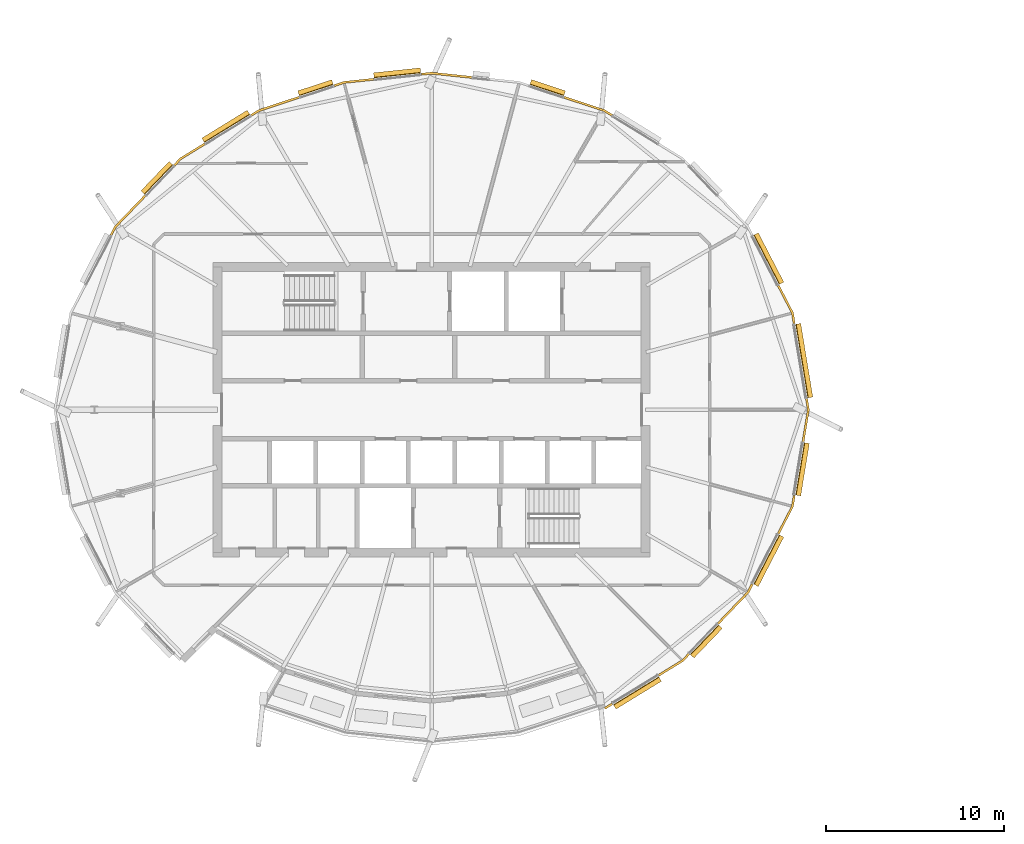
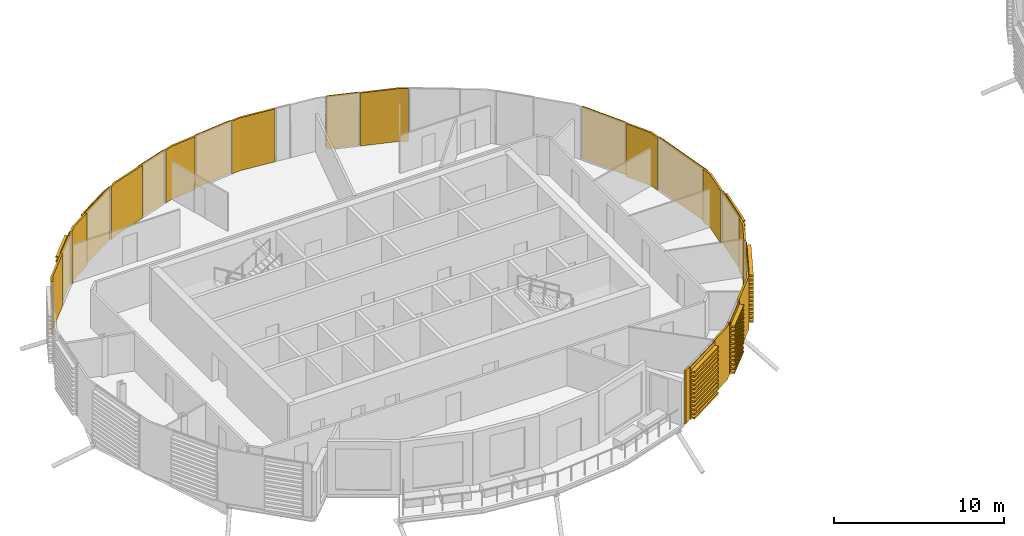
# One storey, part 36 of 41: 23 coverings.
"""IFC4 building model written with IfcOpenShell, lengths in metres."""

from ifc_helpers import new_model, si_unit, direction, frame, origin, place, context, subcontext, project, spatial, polyline, outline, extrude, material, layer, layer_set, material_profile, profile_set, type_object, element, save


model = new_model("IFC4")

# Units and contexts
model_context = context("Model", 3, precision=1e-05, world=origin(), true_north=direction((0.0, 1.0)))
body_context = subcontext(model_context, "Body", "Model", "MODEL_VIEW")
ifc_project = project(units=[si_unit("LENGTHUNIT", "METRE"), si_unit("AREAUNIT", "SQUARE_METRE"), si_unit("VOLUMEUNIT", "CUBIC_METRE"), si_unit("PLANEANGLEUNIT", "RADIAN"), si_unit("MASSUNIT", "GRAM", prefix="KILO")], contexts=[model_context])

# Site, building, storey
site_placement = place(None, origin())
site = spatial("IfcSite", under=ifc_project, at=site_placement, CompositionType="ELEMENT")
building_placement = place(site_placement, origin())
building = spatial("IfcBuilding", under=site, at=building_placement, Name="Rimbun Link Towers", CompositionType="ELEMENT")
storey_placement = place(building_placement, frame((0.0, 0.0, 210.5)))
storey = spatial("IfcBuildingStorey", under=building, at=storey_placement, Name="L51", CompositionType="ELEMENT", Elevation=210.5)

# Coverings
ifc_material_1 = material(Name="Terracotta", Category="masonry")
ifc_layer = layer(ifc_material_1, 0.1201171875)
ifc_layer_set = layer_set([ifc_layer], Name="LINK PIER terracotta cladding 120")
covering_type_1 = type_object("IfcCoveringType", Name="LINK PIER terracotta cladding 120", PredefinedType="CLADDING", material=ifc_layer_set)
covering_1_placement = place(storey_placement, origin())
element("IfcCovering", 1, at=covering_1_placement, inside=storey, type_object=covering_type_1, Name="LINK PIER cladding", PredefinedType="CLADDING", context=body_context, shape_type="SweptSolid", body=[
    extrude(outline(polyline([(-10.790283203125, 0.61181640625), (-10.689697265625, 0.0), (-10.985107421875, -1.7958984375), (-10.86669921875, -1.8154296875), (-10.568115234375, 0.0), (-10.671875, 0.63134765625), (-10.790283203125, 0.61181640625)])), origin(), (0.0, 0.0, 1.0), 3.800048828125),
])
covering_2_placement = place(storey_placement, origin())
element("IfcCovering", 2, at=covering_2_placement, inside=storey, type_object=covering_type_1, Name="LINK PIER cladding", PredefinedType="CLADDING", context=body_context, shape_type="SweptSolid", body=[
    extrude(outline(polyline([(-12.369140625, 6.9326171875), (-11.57861328125, 5.40478515625), (-11.47802734375, 4.793212890625), (-11.359619140625, 4.8125), (-11.46337890625, 5.443115234375), (-12.262451171875, 6.987548828125), (-12.369140625, 6.9326171875)])), origin(), (0.0, 0.0, 1.0), 3.800048828125),
])
covering_3_placement = place(storey_placement, origin())
element("IfcCovering", 3, at=covering_3_placement, inside=storey, type_object=covering_type_1, Name="LINK PIER cladding", PredefinedType="CLADDING", context=body_context, shape_type="SweptSolid", body=[
    extrude(outline(polyline([(-24.35009765625, 17.459228515625), (-22.100341796875, 16.713623046875), (-21.6572265625, 16.441650390625), (-21.594482421875, 16.5439453125), (-22.04931640625, 16.8232421875), (-24.312255859375, 17.5732421875), (-24.35009765625, 17.459228515625)])), origin(), (0.0, 0.0, 1.0), 3.800048828125),
])
covering_4_placement = place(storey_placement, origin())
element("IfcCovering", 4, at=covering_4_placement, inside=storey, type_object=covering_type_1, Name="LINK PIER cladding", PredefinedType="CLADDING", context=body_context, shape_type="SweptSolid", body=[
    extrude(outline(polyline([(-32.31689453125, 18.743896484375), (-31.75, 18.8037109375), (-29.492431640625, 18.56591796875), (-29.47998046875, 18.685302734375), (-31.75, 18.92431640625), (-32.329345703125, 18.86328125), (-32.31689453125, 18.743896484375)])), origin(), (0.0, 0.0, 1.0), 3.800048828125),
])
covering_5_placement = place(storey_placement, origin())
element("IfcCovering", 5, at=covering_5_placement, inside=storey, type_object=covering_type_1, Name="LINK PIER cladding", PredefinedType="CLADDING", context=body_context, shape_type="SweptSolid", body=[
    extrude(outline(polyline([(-37.191162109375, 18.1083984375), (-36.650146484375, 18.28759765625), (-34.989501953125, 18.462646484375), (-35.001953125, 18.58203125), (-36.675537109375, 18.40576171875), (-37.22900390625, 18.222412109375), (-37.191162109375, 18.1083984375)])), origin(), (0.0, 0.0, 1.0), 3.800048828125),
])
covering_6_placement = place(storey_placement, origin())
element("IfcCovering", 6, at=covering_6_placement, inside=storey, type_object=covering_type_1, Name="LINK PIER cladding", PredefinedType="CLADDING", context=body_context, shape_type="SweptSolid", body=[
    extrude(outline(polyline([(-41.8427734375, 16.441650390625), (-41.399658203125, 16.713623046875), (-39.14990234375, 17.459228515625), (-39.187744140625, 17.5732421875), (-41.45068359375, 16.8232421875), (-41.905517578125, 16.5439453125), (-41.8427734375, 16.441650390625)])), origin(), (0.0, 0.0, 1.0), 3.800048828125),
])
covering_7_placement = place(storey_placement, origin())
element("IfcCovering", 7, at=covering_7_placement, inside=storey, type_object=covering_type_1, Name="LINK PIER cladding", PredefinedType="CLADDING", context=body_context, shape_type="SweptSolid", body=[
    extrude(outline(polyline([(-46.13623046875, 13.651123046875), (-45.7763671875, 14.0263671875), (-44.4384765625, 14.847900390625), (-44.501220703125, 14.9501953125), (-45.852294921875, 14.12060546875), (-46.222900390625, 13.734130859375), (-46.13623046875, 13.651123046875)])), origin(), (0.0, 0.0, 1.0), 3.800048828125),
])
covering_8_placement = place(storey_placement, origin())
element("IfcCovering", 8, at=covering_8_placement, inside=storey, type_object=covering_type_1, Name="LINK PIER cladding", PredefinedType="CLADDING", context=body_context, shape_type="SweptSolid", body=[
    extrude(outline(polyline([(-49.673828125, 9.74853515625), (-49.434814453125, 10.21044921875), (-47.760009765625, 11.957275390625), (-47.8466796875, 12.040283203125), (-49.533447265625, 10.281005859375), (-49.780517578125, 9.8037109375), (-49.673828125, 9.74853515625)])), origin(), (0.0, 0.0, 1.0), 3.800048828125),
])
covering_9_placement = place(storey_placement, origin())
element("IfcCovering", 9, at=covering_9_placement, inside=storey, type_object=covering_type_1, Name="LINK PIER cladding", PredefinedType="CLADDING", context=body_context, shape_type="SweptSolid", body=[
    extrude(outline(polyline([(-21.6572265625, -16.441650390625), (-22.07470703125, -16.697998046875), (-22.011962890625, -16.80029296875), (-21.594482421875, -16.5439453125), (-21.6572265625, -16.441650390625)])), origin(), (0.0, 0.0, 1.0), 3.800048828125),
])
covering_10_placement = place(storey_placement, origin())
element("IfcCovering", 10, at=covering_10_placement, inside=storey, type_object=covering_type_1, Name="LINK PIER cladding", PredefinedType="CLADDING", context=body_context, shape_type="SweptSolid", body=[
    extrude(outline(polyline([(-17.36376953125, -13.651123046875), (-17.7236328125, -14.0263671875), (-19.0615234375, -14.847900390625), (-18.998779296875, -14.9501953125), (-17.647705078125, -14.12060546875), (-17.277099609375, -13.734130859375), (-17.36376953125, -13.651123046875)])), origin(), (0.0, 0.0, 1.0), 3.800048828125),
])
covering_11_placement = place(storey_placement, origin())
element("IfcCovering", 11, at=covering_11_placement, inside=storey, type_object=covering_type_1, Name="LINK PIER cladding", PredefinedType="CLADDING", context=body_context, shape_type="SweptSolid", body=[
    extrude(outline(polyline([(-13.826171875, -9.74853515625), (-14.065185546875, -10.21044921875), (-15.739990234375, -11.957275390625), (-15.6533203125, -12.040283203125), (-13.966552734375, -10.281005859375), (-13.719482421875, -9.8037109375), (-13.826171875, -9.74853515625)])), origin(), (0.0, 0.0, 1.0), 3.800048828125),
])
covering_12_placement = place(storey_placement, origin())
element("IfcCovering", 12, at=covering_12_placement, inside=storey, type_object=covering_type_1, Name="LINK PIER cladding", PredefinedType="CLADDING", context=body_context, shape_type="SweptSolid", body=[
    extrude(outline(polyline([(-11.47802734375, -4.793212890625), (-11.57861328125, -5.40478515625), (-12.369140625, -6.9326171875), (-12.262451171875, -6.987548828125), (-11.46337890625, -5.443115234375), (-11.359619140625, -4.8125), (-11.47802734375, -4.793212890625)])), origin(), (0.0, 0.0, 1.0), 3.800048828125),
])
ifc_material_2 = material(Name="Terracotta", Category="masonry")
ifc_material_profile = material_profile(ifc_material_2, outline(polyline([(0.123046875, 0.0), (0.1630859375, 0.0), (0.1630859375, 0.10009765625), (0.423095703125, 0.10009765625), (0.423095703125, 0.219970703125), (0.1630859375, 0.219970703125), (0.1630859375, 0.39990234375), (0.423095703125, 0.39990234375), (0.423095703125, 0.52001953125), (0.1630859375, 0.52001953125), (0.1630859375, 0.699951171875), (0.423095703125, 0.699951171875), (0.423095703125, 0.820068359375), (0.1630859375, 0.820068359375), (0.1630859375, 1.0), (0.423095703125, 1.0), (0.423095703125, 1.1201171875), (0.1630859375, 1.1201171875), (0.1630859375, 1.300048828125), (0.423095703125, 1.300048828125), (0.423095703125, 1.419921875), (0.1630859375, 1.419921875), (0.1630859375, 1.60009765625), (0.423095703125, 1.60009765625), (0.423095703125, 1.719970703125), (0.1630859375, 1.719970703125), (0.1630859375, 1.89990234375), (0.423095703125, 1.89990234375), (0.423095703125, 2.02001953125), (0.1630859375, 2.02001953125), (0.1630859375, 2.199951171875), (0.423095703125, 2.199951171875), (0.423095703125, 2.320068359375), (0.1630859375, 2.320068359375), (0.1630859375, 2.5), (0.423095703125, 2.5), (0.423095703125, 2.6201171875), (0.1630859375, 2.6201171875), (0.1630859375, 2.800048828125), (0.423095703125, 2.800048828125), (0.423095703125, 2.919921875), (0.1630859375, 2.919921875), (0.1630859375, 3.10009765625), (0.423095703125, 3.10009765625), (0.423095703125, 3.219970703125), (0.1630859375, 3.219970703125), (0.1630859375, 3.39990234375), (0.423095703125, 3.39990234375), (0.423095703125, 3.52001953125), (0.1630859375, 3.52001953125), (0.1630859375, 3.800048828125), (0.123046875, 3.800048828125), (0.123046875, 0.0)])), Name="BAGUETTE 120X300")
ifc_profile_set = profile_set([ifc_material_profile], Name="Terracotta")
covering_type_2 = type_object("IfcCoveringType", Name="TERRACOTTA BAGUETTE 120X300 H3800", PredefinedType="CLADDING", material=ifc_profile_set)
covering_13_placement = place(storey_placement, frame((-11.47314453125, 4.763427734375, 0.0), z_axis=(0.162294685122, -0.986742334747, 0.0), x_axis=(0.986742334747, 0.162294685122, 0.0)))
element("IfcCovering", 13, at=covering_13_placement, inside=storey, type_object=covering_type_2, Name="TERRACOTTA BAGUETTE", PredefinedType="CLADDING", context=body_context, shape_type="SweptSolid", body=[
    extrude(outline(polyline([(0.123046875, 0.0), (0.1630859375, 0.0), (0.1630859375, 0.10009765625), (0.423095703125, 0.10009765625), (0.423095703125, 0.219970703125), (0.1630859375, 0.219970703125), (0.1630859375, 0.39990234375), (0.423095703125, 0.39990234375), (0.423095703125, 0.52001953125), (0.1630859375, 0.52001953125), (0.1630859375, 0.699951171875), (0.423095703125, 0.699951171875), (0.423095703125, 0.820068359375), (0.1630859375, 0.820068359375), (0.1630859375, 1.0), (0.423095703125, 1.0), (0.423095703125, 1.1201171875), (0.1630859375, 1.1201171875), (0.1630859375, 1.300048828125), (0.423095703125, 1.300048828125), (0.423095703125, 1.419921875), (0.1630859375, 1.419921875), (0.1630859375, 1.60009765625), (0.423095703125, 1.60009765625), (0.423095703125, 1.719970703125), (0.1630859375, 1.719970703125), (0.1630859375, 1.89990234375), (0.423095703125, 1.89990234375), (0.423095703125, 2.02001953125), (0.1630859375, 2.02001953125), (0.1630859375, 2.199951171875), (0.423095703125, 2.199951171875), (0.423095703125, 2.320068359375), (0.1630859375, 2.320068359375), (0.1630859375, 2.5), (0.423095703125, 2.5), (0.423095703125, 2.6201171875), (0.1630859375, 2.6201171875), (0.1630859375, 2.800048828125), (0.423095703125, 2.800048828125), (0.423095703125, 2.919921875), (0.1630859375, 2.919921875), (0.1630859375, 3.10009765625), (0.423095703125, 3.10009765625), (0.423095703125, 3.219970703125), (0.1630859375, 3.219970703125), (0.1630859375, 3.39990234375), (0.423095703125, 3.39990234375), (0.423095703125, 3.52001953125), (0.1630859375, 3.52001953125), (0.1630859375, 3.800048828125), (0.123046875, 3.800048828125), (0.123046875, 0.0)])), origin(), (0.0, 0.0, 1.0), 4.177490234375),
])
covering_14_placement = place(storey_placement, frame((-13.812255859375, 9.721923828125, 0.0), z_axis=(0.459540350584, -0.888156892776, 0.0), x_axis=(0.888156892776, 0.459540350584, 0.0)))
element("IfcCovering", 14, at=covering_14_placement, inside=storey, type_object=covering_type_2, Name="TERRACOTTA BAGUETTE", PredefinedType="CLADDING", context=body_context, shape_type="SweptSolid", body=[
    extrude(outline(polyline([(0.123046875, 0.0), (0.1630859375, 0.0), (0.1630859375, 0.10009765625), (0.423095703125, 0.10009765625), (0.423095703125, 0.219970703125), (0.1630859375, 0.219970703125), (0.1630859375, 0.39990234375), (0.423095703125, 0.39990234375), (0.423095703125, 0.52001953125), (0.1630859375, 0.52001953125), (0.1630859375, 0.699951171875), (0.423095703125, 0.699951171875), (0.423095703125, 0.820068359375), (0.1630859375, 0.820068359375), (0.1630859375, 1.0), (0.423095703125, 1.0), (0.423095703125, 1.1201171875), (0.1630859375, 1.1201171875), (0.1630859375, 1.300048828125), (0.423095703125, 1.300048828125), (0.423095703125, 1.419921875), (0.1630859375, 1.419921875), (0.1630859375, 1.60009765625), (0.423095703125, 1.60009765625), (0.423095703125, 1.719970703125), (0.1630859375, 1.719970703125), (0.1630859375, 1.89990234375), (0.423095703125, 1.89990234375), (0.423095703125, 2.02001953125), (0.1630859375, 2.02001953125), (0.1630859375, 2.199951171875), (0.423095703125, 2.199951171875), (0.423095703125, 2.320068359375), (0.1630859375, 2.320068359375), (0.1630859375, 2.5), (0.423095703125, 2.5), (0.423095703125, 2.6201171875), (0.1630859375, 2.6201171875), (0.1630859375, 2.800048828125), (0.423095703125, 2.800048828125), (0.423095703125, 2.919921875), (0.1630859375, 2.919921875), (0.1630859375, 3.10009765625), (0.423095703125, 3.10009765625), (0.423095703125, 3.219970703125), (0.1630859375, 3.219970703125), (0.1630859375, 3.39990234375), (0.423095703125, 3.39990234375), (0.423095703125, 3.52001953125), (0.1630859375, 3.52001953125), (0.1630859375, 3.800048828125), (0.123046875, 3.800048828125), (0.123046875, 0.0)])), origin(), (0.0, 0.0, 1.0), 3.110595703125),
])
covering_15_placement = place(storey_placement, frame((-26.2802734375, 18.098876953125, 0.0), z_axis=(0.949254463086, -0.314509084625, 0.0), x_axis=(0.314509084625, 0.949254463086, 0.0)))
element("IfcCovering", 15, at=covering_15_placement, inside=storey, type_object=covering_type_2, Name="TERRACOTTA BAGUETTE", PredefinedType="CLADDING", context=body_context, shape_type="SweptSolid", body=[
    extrude(outline(polyline([(0.123046875, 0.0), (0.1630859375, 0.0), (0.1630859375, 0.10009765625), (0.423095703125, 0.10009765625), (0.423095703125, 0.219970703125), (0.1630859375, 0.219970703125), (0.1630859375, 0.39990234375), (0.423095703125, 0.39990234375), (0.423095703125, 0.52001953125), (0.1630859375, 0.52001953125), (0.1630859375, 0.699951171875), (0.423095703125, 0.699951171875), (0.423095703125, 0.820068359375), (0.1630859375, 0.820068359375), (0.1630859375, 1.0), (0.423095703125, 1.0), (0.423095703125, 1.1201171875), (0.1630859375, 1.1201171875), (0.1630859375, 1.300048828125), (0.423095703125, 1.300048828125), (0.423095703125, 1.419921875), (0.1630859375, 1.419921875), (0.1630859375, 1.60009765625), (0.423095703125, 1.60009765625), (0.423095703125, 1.719970703125), (0.1630859375, 1.719970703125), (0.1630859375, 1.89990234375), (0.423095703125, 1.89990234375), (0.423095703125, 2.02001953125), (0.1630859375, 2.02001953125), (0.1630859375, 2.199951171875), (0.423095703125, 2.199951171875), (0.423095703125, 2.320068359375), (0.1630859375, 2.320068359375), (0.1630859375, 2.5), (0.423095703125, 2.5), (0.423095703125, 2.6201171875), (0.1630859375, 2.6201171875), (0.1630859375, 2.800048828125), (0.423095703125, 2.800048828125), (0.423095703125, 2.919921875), (0.1630859375, 2.919921875), (0.1630859375, 3.10009765625), (0.423095703125, 3.10009765625), (0.423095703125, 3.219970703125), (0.1630859375, 3.219970703125), (0.1630859375, 3.39990234375), (0.423095703125, 3.39990234375), (0.423095703125, 3.52001953125), (0.1630859375, 3.52001953125), (0.1630859375, 3.800048828125), (0.123046875, 3.800048828125), (0.123046875, 0.0)])), origin(), (0.0, 0.0, 1.0), 2.00341796875),
])
covering_16_placement = place(storey_placement, frame((-34.95947265625, 18.4658203125, 0.0), z_axis=(0.994500869285, 0.104728319911, 0.0), x_axis=(-0.104728319911, 0.994500869285, 0.0)))
element("IfcCovering", 16, at=covering_16_placement, inside=storey, type_object=covering_type_2, Name="TERRACOTTA BAGUETTE", PredefinedType="CLADDING", context=body_context, shape_type="SweptSolid", body=[
    extrude(outline(polyline([(0.123046875, 0.0), (0.1630859375, 0.0), (0.1630859375, 0.10009765625), (0.423095703125, 0.10009765625), (0.423095703125, 0.219970703125), (0.1630859375, 0.219970703125), (0.1630859375, 0.39990234375), (0.423095703125, 0.39990234375), (0.423095703125, 0.52001953125), (0.1630859375, 0.52001953125), (0.1630859375, 0.699951171875), (0.423095703125, 0.699951171875), (0.423095703125, 0.820068359375), (0.1630859375, 0.820068359375), (0.1630859375, 1.0), (0.423095703125, 1.0), (0.423095703125, 1.1201171875), (0.1630859375, 1.1201171875), (0.1630859375, 1.300048828125), (0.423095703125, 1.300048828125), (0.423095703125, 1.419921875), (0.1630859375, 1.419921875), (0.1630859375, 1.60009765625), (0.423095703125, 1.60009765625), (0.423095703125, 1.719970703125), (0.1630859375, 1.719970703125), (0.1630859375, 1.89990234375), (0.423095703125, 1.89990234375), (0.423095703125, 2.02001953125), (0.1630859375, 2.02001953125), (0.1630859375, 2.199951171875), (0.423095703125, 2.199951171875), (0.423095703125, 2.320068359375), (0.1630859375, 2.320068359375), (0.1630859375, 2.5), (0.423095703125, 2.5), (0.423095703125, 2.6201171875), (0.1630859375, 2.6201171875), (0.1630859375, 2.800048828125), (0.423095703125, 2.800048828125), (0.423095703125, 2.919921875), (0.1630859375, 2.919921875), (0.1630859375, 3.10009765625), (0.423095703125, 3.10009765625), (0.423095703125, 3.219970703125), (0.1630859375, 3.219970703125), (0.1630859375, 3.39990234375), (0.423095703125, 3.39990234375), (0.423095703125, 3.52001953125), (0.1630859375, 3.52001953125), (0.1630859375, 3.800048828125), (0.123046875, 3.800048828125), (0.123046875, 0.0)])), origin(), (0.0, 0.0, 1.0), 2.627197265625),
])
covering_17_placement = place(storey_placement, frame((-39.12158203125, 17.46875, 0.0), z_axis=(0.949254463086, 0.314509084625, 0.0), x_axis=(-0.314509084625, 0.949254463086, 0.0)))
element("IfcCovering", 17, at=covering_17_placement, inside=storey, type_object=covering_type_2, Name="TERRACOTTA BAGUETTE", PredefinedType="CLADDING", context=body_context, shape_type="SweptSolid", body=[
    extrude(outline(polyline([(0.123046875, 0.0), (0.1630859375, 0.0), (0.1630859375, 0.10009765625), (0.423095703125, 0.10009765625), (0.423095703125, 0.219970703125), (0.1630859375, 0.219970703125), (0.1630859375, 0.39990234375), (0.423095703125, 0.39990234375), (0.423095703125, 0.52001953125), (0.1630859375, 0.52001953125), (0.1630859375, 0.699951171875), (0.423095703125, 0.699951171875), (0.423095703125, 0.820068359375), (0.1630859375, 0.820068359375), (0.1630859375, 1.0), (0.423095703125, 1.0), (0.423095703125, 1.1201171875), (0.1630859375, 1.1201171875), (0.1630859375, 1.300048828125), (0.423095703125, 1.300048828125), (0.423095703125, 1.419921875), (0.1630859375, 1.419921875), (0.1630859375, 1.60009765625), (0.423095703125, 1.60009765625), (0.423095703125, 1.719970703125), (0.1630859375, 1.719970703125), (0.1630859375, 1.89990234375), (0.423095703125, 1.89990234375), (0.423095703125, 2.02001953125), (0.1630859375, 2.02001953125), (0.1630859375, 2.199951171875), (0.423095703125, 2.199951171875), (0.423095703125, 2.320068359375), (0.1630859375, 2.320068359375), (0.1630859375, 2.5), (0.423095703125, 2.5), (0.423095703125, 2.6201171875), (0.1630859375, 2.6201171875), (0.1630859375, 2.800048828125), (0.423095703125, 2.800048828125), (0.423095703125, 2.919921875), (0.1630859375, 2.919921875), (0.1630859375, 3.10009765625), (0.423095703125, 3.10009765625), (0.423095703125, 3.219970703125), (0.1630859375, 3.219970703125), (0.1630859375, 3.39990234375), (0.423095703125, 3.39990234375), (0.423095703125, 3.52001953125), (0.1630859375, 3.52001953125), (0.1630859375, 3.800048828125), (0.123046875, 3.800048828125), (0.123046875, 0.0)])), origin(), (0.0, 0.0, 1.0), 2.00341796875),
])
covering_18_placement = place(storey_placement, frame((-44.412841796875, 14.863525390625, 0.0), z_axis=(0.852152035837, 0.523294284145, 0.0), x_axis=(-0.523294284145, 0.852152035837, 0.0)))
element("IfcCovering", 18, at=covering_18_placement, inside=storey, type_object=covering_type_2, Name="TERRACOTTA BAGUETTE", PredefinedType="CLADDING", context=body_context, shape_type="SweptSolid", body=[
    extrude(outline(polyline([(0.123046875, 0.0), (0.1630859375, 0.0), (0.1630859375, 0.10009765625), (0.423095703125, 0.10009765625), (0.423095703125, 0.219970703125), (0.1630859375, 0.219970703125), (0.1630859375, 0.39990234375), (0.423095703125, 0.39990234375), (0.423095703125, 0.52001953125), (0.1630859375, 0.52001953125), (0.1630859375, 0.699951171875), (0.423095703125, 0.699951171875), (0.423095703125, 0.820068359375), (0.1630859375, 0.820068359375), (0.1630859375, 1.0), (0.423095703125, 1.0), (0.423095703125, 1.1201171875), (0.1630859375, 1.1201171875), (0.1630859375, 1.300048828125), (0.423095703125, 1.300048828125), (0.423095703125, 1.419921875), (0.1630859375, 1.419921875), (0.1630859375, 1.60009765625), (0.423095703125, 1.60009765625), (0.423095703125, 1.719970703125), (0.1630859375, 1.719970703125), (0.1630859375, 1.89990234375), (0.423095703125, 1.89990234375), (0.423095703125, 2.02001953125), (0.1630859375, 2.02001953125), (0.1630859375, 2.199951171875), (0.423095703125, 2.199951171875), (0.423095703125, 2.320068359375), (0.1630859375, 2.320068359375), (0.1630859375, 2.5), (0.423095703125, 2.5), (0.423095703125, 2.6201171875), (0.1630859375, 2.6201171875), (0.1630859375, 2.800048828125), (0.423095703125, 2.800048828125), (0.423095703125, 2.919921875), (0.1630859375, 2.919921875), (0.1630859375, 3.10009765625), (0.423095703125, 3.10009765625), (0.423095703125, 3.219970703125), (0.1630859375, 3.219970703125), (0.1630859375, 3.39990234375), (0.423095703125, 3.39990234375), (0.423095703125, 3.52001953125), (0.1630859375, 3.52001953125), (0.1630859375, 3.800048828125), (0.123046875, 3.800048828125), (0.123046875, 0.0)])), origin(), (0.0, 0.0, 1.0), 2.98583984375),
])
covering_19_placement = place(storey_placement, frame((-47.7392578125, 11.97900390625, 0.0), z_axis=(0.692053780348, 0.721845942779, 0.0), x_axis=(-0.721845942779, 0.692053780348, 0.0)))
element("IfcCovering", 19, at=covering_19_placement, inside=storey, type_object=covering_type_2, Name="TERRACOTTA BAGUETTE", PredefinedType="CLADDING", context=body_context, shape_type="SweptSolid", body=[
    extrude(outline(polyline([(0.123046875, 0.0), (0.1630859375, 0.0), (0.1630859375, 0.10009765625), (0.423095703125, 0.10009765625), (0.423095703125, 0.219970703125), (0.1630859375, 0.219970703125), (0.1630859375, 0.39990234375), (0.423095703125, 0.39990234375), (0.423095703125, 0.52001953125), (0.1630859375, 0.52001953125), (0.1630859375, 0.699951171875), (0.423095703125, 0.699951171875), (0.423095703125, 0.820068359375), (0.1630859375, 0.820068359375), (0.1630859375, 1.0), (0.423095703125, 1.0), (0.423095703125, 1.1201171875), (0.1630859375, 1.1201171875), (0.1630859375, 1.300048828125), (0.423095703125, 1.300048828125), (0.423095703125, 1.419921875), (0.1630859375, 1.419921875), (0.1630859375, 1.60009765625), (0.423095703125, 1.60009765625), (0.423095703125, 1.719970703125), (0.1630859375, 1.719970703125), (0.1630859375, 1.89990234375), (0.423095703125, 1.89990234375), (0.423095703125, 2.02001953125), (0.1630859375, 2.02001953125), (0.1630859375, 2.199951171875), (0.423095703125, 2.199951171875), (0.423095703125, 2.320068359375), (0.1630859375, 2.320068359375), (0.1630859375, 2.5), (0.423095703125, 2.5), (0.423095703125, 2.6201171875), (0.1630859375, 2.6201171875), (0.1630859375, 2.800048828125), (0.423095703125, 2.800048828125), (0.423095703125, 2.919921875), (0.1630859375, 2.919921875), (0.1630859375, 3.10009765625), (0.423095703125, 3.10009765625), (0.423095703125, 3.219970703125), (0.1630859375, 3.219970703125), (0.1630859375, 3.39990234375), (0.423095703125, 3.39990234375), (0.423095703125, 3.52001953125), (0.1630859375, 3.52001953125), (0.1630859375, 3.800048828125), (0.123046875, 3.800048828125), (0.123046875, 0.0)])), origin(), (0.0, 0.0, 1.0), 2.286376953125),
])
covering_20_placement = place(storey_placement, frame((-19.087158203125, -14.863525390625, 0.0), z_axis=(-0.852152035837, -0.523294284145, 0.0), x_axis=(0.523294284145, -0.852152035837, 0.0)))
element("IfcCovering", 20, at=covering_20_placement, inside=storey, type_object=covering_type_2, Name="TERRACOTTA BAGUETTE", PredefinedType="CLADDING", context=body_context, shape_type="SweptSolid", body=[
    extrude(outline(polyline([(0.123046875, 0.0), (0.1630859375, 0.0), (0.1630859375, 0.10009765625), (0.423095703125, 0.10009765625), (0.423095703125, 0.219970703125), (0.1630859375, 0.219970703125), (0.1630859375, 0.39990234375), (0.423095703125, 0.39990234375), (0.423095703125, 0.52001953125), (0.1630859375, 0.52001953125), (0.1630859375, 0.699951171875), (0.423095703125, 0.699951171875), (0.423095703125, 0.820068359375), (0.1630859375, 0.820068359375), (0.1630859375, 1.0), (0.423095703125, 1.0), (0.423095703125, 1.1201171875), (0.1630859375, 1.1201171875), (0.1630859375, 1.300048828125), (0.423095703125, 1.300048828125), (0.423095703125, 1.419921875), (0.1630859375, 1.419921875), (0.1630859375, 1.60009765625), (0.423095703125, 1.60009765625), (0.423095703125, 1.719970703125), (0.1630859375, 1.719970703125), (0.1630859375, 1.89990234375), (0.423095703125, 1.89990234375), (0.423095703125, 2.02001953125), (0.1630859375, 2.02001953125), (0.1630859375, 2.199951171875), (0.423095703125, 2.199951171875), (0.423095703125, 2.320068359375), (0.1630859375, 2.320068359375), (0.1630859375, 2.5), (0.423095703125, 2.5), (0.423095703125, 2.6201171875), (0.1630859375, 2.6201171875), (0.1630859375, 2.800048828125), (0.423095703125, 2.800048828125), (0.423095703125, 2.919921875), (0.1630859375, 2.919921875), (0.1630859375, 3.10009765625), (0.423095703125, 3.10009765625), (0.423095703125, 3.219970703125), (0.1630859375, 3.219970703125), (0.1630859375, 3.39990234375), (0.423095703125, 3.39990234375), (0.423095703125, 3.52001953125), (0.1630859375, 3.52001953125), (0.1630859375, 3.800048828125), (0.123046875, 3.800048828125), (0.123046875, 0.0)])), origin(), (0.0, 0.0, 1.0), 2.98583984375),
])
covering_21_placement = place(storey_placement, frame((-15.7607421875, -11.97900390625, 0.0), z_axis=(-0.692053780348, -0.721845942779, 0.0), x_axis=(0.721845942779, -0.692053780348, 0.0)))
element("IfcCovering", 21, at=covering_21_placement, inside=storey, type_object=covering_type_2, Name="TERRACOTTA BAGUETTE", PredefinedType="CLADDING", context=body_context, shape_type="SweptSolid", body=[
    extrude(outline(polyline([(0.123046875, 0.0), (0.1630859375, 0.0), (0.1630859375, 0.10009765625), (0.423095703125, 0.10009765625), (0.423095703125, 0.219970703125), (0.1630859375, 0.219970703125), (0.1630859375, 0.39990234375), (0.423095703125, 0.39990234375), (0.423095703125, 0.52001953125), (0.1630859375, 0.52001953125), (0.1630859375, 0.699951171875), (0.423095703125, 0.699951171875), (0.423095703125, 0.820068359375), (0.1630859375, 0.820068359375), (0.1630859375, 1.0), (0.423095703125, 1.0), (0.423095703125, 1.1201171875), (0.1630859375, 1.1201171875), (0.1630859375, 1.300048828125), (0.423095703125, 1.300048828125), (0.423095703125, 1.419921875), (0.1630859375, 1.419921875), (0.1630859375, 1.60009765625), (0.423095703125, 1.60009765625), (0.423095703125, 1.719970703125), (0.1630859375, 1.719970703125), (0.1630859375, 1.89990234375), (0.423095703125, 1.89990234375), (0.423095703125, 2.02001953125), (0.1630859375, 2.02001953125), (0.1630859375, 2.199951171875), (0.423095703125, 2.199951171875), (0.423095703125, 2.320068359375), (0.1630859375, 2.320068359375), (0.1630859375, 2.5), (0.423095703125, 2.5), (0.423095703125, 2.6201171875), (0.1630859375, 2.6201171875), (0.1630859375, 2.800048828125), (0.423095703125, 2.800048828125), (0.423095703125, 2.919921875), (0.1630859375, 2.919921875), (0.1630859375, 3.10009765625), (0.423095703125, 3.10009765625), (0.423095703125, 3.219970703125), (0.1630859375, 3.219970703125), (0.1630859375, 3.39990234375), (0.423095703125, 3.39990234375), (0.423095703125, 3.52001953125), (0.1630859375, 3.52001953125), (0.1630859375, 3.800048828125), (0.123046875, 3.800048828125), (0.123046875, 0.0)])), origin(), (0.0, 0.0, 1.0), 2.286376953125),
])
covering_22_placement = place(storey_placement, frame((-12.3828125, -6.959228515625, 0.0), z_axis=(-0.459540350584, -0.888156892776, 0.0), x_axis=(0.888156892776, -0.459540350584, 0.0)))
element("IfcCovering", 22, at=covering_22_placement, inside=storey, type_object=covering_type_2, Name="TERRACOTTA BAGUETTE", PredefinedType="CLADDING", context=body_context, shape_type="SweptSolid", body=[
    extrude(outline(polyline([(0.123046875, 0.0), (0.1630859375, 0.0), (0.1630859375, 0.10009765625), (0.423095703125, 0.10009765625), (0.423095703125, 0.219970703125), (0.1630859375, 0.219970703125), (0.1630859375, 0.39990234375), (0.423095703125, 0.39990234375), (0.423095703125, 0.52001953125), (0.1630859375, 0.52001953125), (0.1630859375, 0.699951171875), (0.423095703125, 0.699951171875), (0.423095703125, 0.820068359375), (0.1630859375, 0.820068359375), (0.1630859375, 1.0), (0.423095703125, 1.0), (0.423095703125, 1.1201171875), (0.1630859375, 1.1201171875), (0.1630859375, 1.300048828125), (0.423095703125, 1.300048828125), (0.423095703125, 1.419921875), (0.1630859375, 1.419921875), (0.1630859375, 1.60009765625), (0.423095703125, 1.60009765625), (0.423095703125, 1.719970703125), (0.1630859375, 1.719970703125), (0.1630859375, 1.89990234375), (0.423095703125, 1.89990234375), (0.423095703125, 2.02001953125), (0.1630859375, 2.02001953125), (0.1630859375, 2.199951171875), (0.423095703125, 2.199951171875), (0.423095703125, 2.320068359375), (0.1630859375, 2.320068359375), (0.1630859375, 2.5), (0.423095703125, 2.5), (0.423095703125, 2.6201171875), (0.1630859375, 2.6201171875), (0.1630859375, 2.800048828125), (0.423095703125, 2.800048828125), (0.423095703125, 2.919921875), (0.1630859375, 2.919921875), (0.1630859375, 3.10009765625), (0.423095703125, 3.10009765625), (0.423095703125, 3.219970703125), (0.1630859375, 3.219970703125), (0.1630859375, 3.39990234375), (0.423095703125, 3.39990234375), (0.423095703125, 3.52001953125), (0.1630859375, 3.52001953125), (0.1630859375, 3.800048828125), (0.123046875, 3.800048828125), (0.123046875, 0.0)])), origin(), (0.0, 0.0, 1.0), 3.110595703125),
])
covering_23_placement = place(storey_placement, frame((-10.989990234375, -1.825439453125, 0.0), z_axis=(-0.162271127458, -0.98674620911, 0.0), x_axis=(0.98674620911, -0.162271127458, 0.0)))
element("IfcCovering", 23, at=covering_23_placement, inside=storey, type_object=covering_type_2, Name="TERRACOTTA BAGUETTE", PredefinedType="CLADDING", context=body_context, shape_type="SweptSolid", body=[
    extrude(outline(polyline([(0.123046875, 0.0), (0.1630859375, 0.0), (0.1630859375, 0.10009765625), (0.423095703125, 0.10009765625), (0.423095703125, 0.219970703125), (0.1630859375, 0.219970703125), (0.1630859375, 0.39990234375), (0.423095703125, 0.39990234375), (0.423095703125, 0.52001953125), (0.1630859375, 0.52001953125), (0.1630859375, 0.699951171875), (0.423095703125, 0.699951171875), (0.423095703125, 0.820068359375), (0.1630859375, 0.820068359375), (0.1630859375, 1.0), (0.423095703125, 1.0), (0.423095703125, 1.1201171875), (0.1630859375, 1.1201171875), (0.1630859375, 1.300048828125), (0.423095703125, 1.300048828125), (0.423095703125, 1.419921875), (0.1630859375, 1.419921875), (0.1630859375, 1.60009765625), (0.423095703125, 1.60009765625), (0.423095703125, 1.719970703125), (0.1630859375, 1.719970703125), (0.1630859375, 1.89990234375), (0.423095703125, 1.89990234375), (0.423095703125, 2.02001953125), (0.1630859375, 2.02001953125), (0.1630859375, 2.199951171875), (0.423095703125, 2.199951171875), (0.423095703125, 2.320068359375), (0.1630859375, 2.320068359375), (0.1630859375, 2.5), (0.423095703125, 2.5), (0.423095703125, 2.6201171875), (0.1630859375, 2.6201171875), (0.1630859375, 2.800048828125), (0.423095703125, 2.800048828125), (0.423095703125, 2.919921875), (0.1630859375, 2.919921875), (0.1630859375, 3.10009765625), (0.423095703125, 3.10009765625), (0.423095703125, 3.219970703125), (0.1630859375, 3.219970703125), (0.1630859375, 3.39990234375), (0.423095703125, 3.39990234375), (0.423095703125, 3.52001953125), (0.1630859375, 3.52001953125), (0.1630859375, 3.800048828125), (0.123046875, 3.800048828125), (0.123046875, 0.0)])), origin(), (0.0, 0.0, 1.0), 2.9775390625),
])

save(model, "model.ifc")
